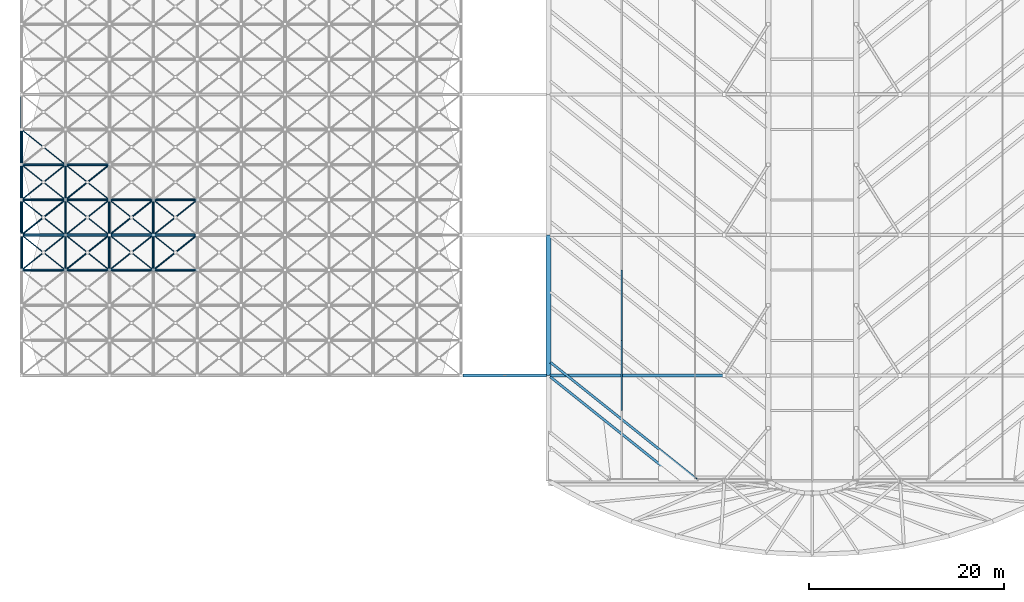
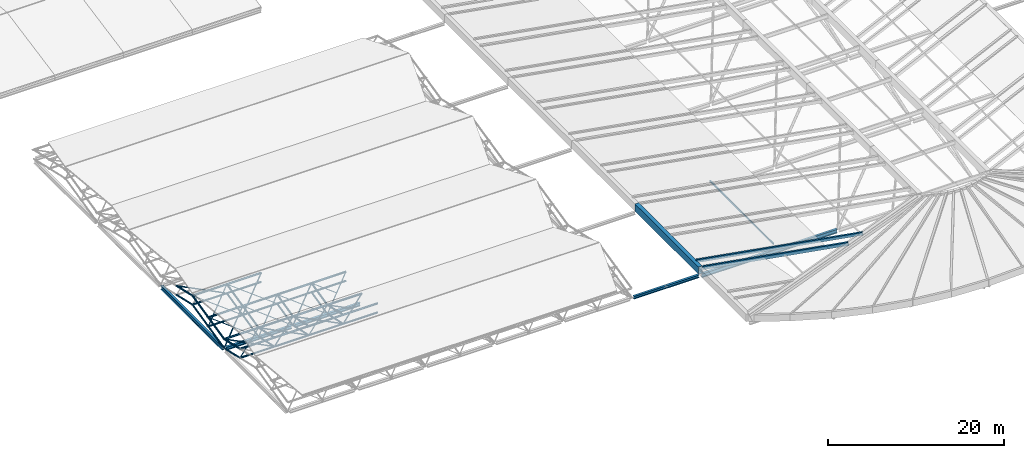
# One storey, part 13 of 110: 78 members, 8 beams.
"""IFC4 building model written with IfcOpenShell, lengths in metres."""

from ifc_helpers import new_model, si_unit, direction, frame, origin, origin_2d, place, context, subcontext, project, spatial, hollow_rectangle, hollow_circle, i_section, extrude, material, material_profile, profile_set, type_object, element, save


model = new_model("IFC4")

# Units and contexts
model_context = context("Model", 3, precision=1e-05, world=origin(), true_north=direction((0.0, 1.0)))
body_context = subcontext(model_context, "Body", "Model", "MODEL_VIEW")
ifc_project = project(units=[si_unit("LENGTHUNIT", "METRE"), si_unit("AREAUNIT", "SQUARE_METRE"), si_unit("VOLUMEUNIT", "CUBIC_METRE"), si_unit("PLANEANGLEUNIT", "RADIAN"), si_unit("MASSUNIT", "GRAM", prefix="KILO")], contexts=[model_context])

# Site, building, storey
site_placement = place(None, origin())
site = spatial("IfcSite", under=ifc_project, at=site_placement, CompositionType="ELEMENT")
building_placement = place(site_placement, origin())
building = spatial("IfcBuilding", under=site, at=building_placement, Name="Tamarisk Ironworks Central Station", CompositionType="ELEMENT")
storey_placement = place(building_placement, frame((0.0, 0.0, 17.39990234375)))
storey = spatial("IfcBuildingStorey", under=building, at=storey_placement, Name="L03", CompositionType="ELEMENT", Elevation=17.39990234375)

# Beams
ifc_material_1 = material(Name="Painted structural steel S355J2", Category="steel")
ifc_material_profile_1 = material_profile(ifc_material_1, hollow_rectangle(XDim=0.5, YDim=1.0, WallThickness=0.02197265625, at=origin_2d()), Name="BOX 500x1000x22")
ifc_profile_set_1 = profile_set([ifc_material_profile_1], Name="Painted structural steel S355J2")
beam_type_1 = type_object("IfcBeamType", Name="BM-EG01", PredefinedType="USERDEFINED", material=ifc_profile_set_1)
beam_1_placement = place(storey_placement, frame((54.0, 21.60009765625, -1.099853515625), z_axis=(0.0, 1.0, 0.0), x_axis=(-1.0, 0.0, 0.0)))
element("IfcBeam", 1, at=beam_1_placement, inside=storey, type_object=beam_type_1, Name="Concourse straight white eave girder W-002", ObjectType="TRANSFER GIRDER", PredefinedType="USERDEFINED", context=body_context, shape_type="SweptSolid", body=[
    extrude(hollow_rectangle(XDim=0.5, YDim=1.0, WallThickness=0.02197265625, at=origin_2d()), origin(), (0.0, 0.0, 1.0), 14.39990234375),
])
ifc_material_profile_2 = material_profile(ifc_material_1, hollow_rectangle(XDim=0.25, YDim=0.449951171875, WallThickness=0.01611328125, at=origin_2d()), Name="RHS 450x250x16")
ifc_profile_set_2 = profile_set([ifc_material_profile_2], Name="Painted structural steel S355J2")
beam_type_2 = type_object("IfcBeamType", Name="BM-FR02", PredefinedType="USERDEFINED", material=ifc_profile_set_2)
beam_2_placement = place(storey_placement, frame((67.25, 11.0, 4.377197265625), z_axis=(-0.746815543009, 0.597452434407, -0.29209096758), x_axis=(-0.624695047554, -0.780868809443, 0.0)))
element("IfcBeam", 2, at=beam_2_placement, inside=storey, type_object=beam_type_2, Name="Concourse paired 45-degree white fishbone roof rib 0117", ObjectType="FISHBONE ROOF RIB", PredefinedType="USERDEFINED", context=body_context, shape_type="SweptSolid", body=[
    extrude(hollow_rectangle(XDim=0.25, YDim=0.449951171875, WallThickness=0.01611328125, at=origin_2d()), origin(), (0.0, 0.0, 1.0), 17.440673828125),
])
ifc_material_profile_3 = material_profile(ifc_material_1, hollow_rectangle(XDim=0.25, YDim=0.39990234375, WallThickness=0.01611328125, at=origin_2d()), Name="RHS 400x250x16")
ifc_profile_set_3 = profile_set([ifc_material_profile_3], Name="Painted structural steel S355J2")
beam_type_3 = type_object("IfcBeamType", Name="BM-FR03", PredefinedType="USERDEFINED", material=ifc_profile_set_3)
beam_3_placement = place(storey_placement, frame((69.125, 11.0, 5.13427734375), z_axis=(-0.746817585881, 0.597454068705, -0.292082401399), x_axis=(-0.624695047554, -0.780868809443, 0.0)))
element("IfcBeam", 3, at=beam_3_placement, inside=storey, type_object=beam_type_3, Name="Concourse paired 45-degree white fishbone roof rib 0119", ObjectType="FISHBONE ROOF RIB", PredefinedType="USERDEFINED", context=body_context, shape_type="SweptSolid", body=[
    extrude(hollow_rectangle(XDim=0.25, YDim=0.39990234375, WallThickness=0.01611328125, at=origin_2d()), origin(), (0.0, 0.0, 1.0), 19.951171875),
])
ifc_material_2 = material(Name="Structural steel S355J2", Category="steel")
ifc_material_profile_4 = material_profile(ifc_material_2, i_section(OverallWidth=0.300048828125, OverallDepth=0.5400390625, WebThickness=0.012451171875, FlangeThickness=0.02392578125, at=origin_2d()), Name="HEA 550")
ifc_profile_set_4 = profile_set([ifc_material_profile_4], Name="Structural steel S355J2")
beam_type_4 = type_object("IfcBeamType", Name="BM-G04", PredefinedType="BEAM", material=ifc_profile_set_4)
beam_4_placement = place(storey_placement, frame((0.0, 36.238037109375, -1.869873046875), z_axis=(0.0, 1.0, 0.0), x_axis=(-1.0, 0.0, 0.0)))
element("IfcBeam", 4, at=beam_4_placement, inside=storey, type_object=beam_type_4, Name="L03 primary girder Y-0583", PredefinedType="BEAM", context=body_context, shape_type="SweptSolid", body=[
    extrude(i_section(OverallWidth=0.300048828125, OverallDepth=0.5400390625, WebThickness=0.012451171875, FlangeThickness=0.02392578125, at=origin_2d()), origin(), (0.0, 0.0, 1.0), 13.924072265625),
])
beam_5_placement = place(storey_placement, frame((54.139892578125, 21.60009765625, -1.869873046875), z_axis=(1.0, 0.0, 0.0), x_axis=(0.0, 1.0, 0.0)))
element("IfcBeam", 5, at=beam_5_placement, inside=storey, type_object=beam_type_4, Name="Concourse roof portal tie girder 020", PredefinedType="BEAM", context=body_context, shape_type="SweptSolid", body=[
    extrude(i_section(OverallWidth=0.300048828125, OverallDepth=0.5400390625, WebThickness=0.012451171875, FlangeThickness=0.02392578125, at=origin_2d()), origin(), (0.0, 0.0, 1.0), 17.72021484375),
])
ifc_material_profile_5 = material_profile(ifc_material_2, i_section(OverallWidth=0.300048828125, OverallDepth=0.43994140625, WebThickness=0.011474609375, FlangeThickness=0.02099609375, at=origin_2d()), Name="HEA 450")
ifc_profile_set_5 = profile_set([ifc_material_profile_5], Name="Structural steel S355J2")
beam_type_5 = type_object("IfcBeamType", Name="BM-G06", PredefinedType="BEAM", material=ifc_profile_set_5)
beam_6_placement = place(storey_placement, frame((0.238037109375, 36.0, -1.81982421875), z_axis=(1.0, 0.0, 0.0), x_axis=(0.0, 1.0, 0.0)))
element("IfcBeam", 6, at=beam_6_placement, inside=storey, type_object=beam_type_5, Name="L03 primary girder X-0547", PredefinedType="BEAM", context=body_context, shape_type="SweptSolid", body=[
    extrude(i_section(OverallWidth=0.300048828125, OverallDepth=0.43994140625, WebThickness=0.011474609375, FlangeThickness=0.02099609375, at=origin_2d()), origin(), (0.0, 0.0, 1.0), 8.57080078125),
])
beam_7_placement = place(storey_placement, frame((9.191162109375, 36.0, -1.81982421875), z_axis=(1.0, 0.0, 0.0), x_axis=(0.0, 1.0, 0.0)))
element("IfcBeam", 7, at=beam_7_placement, inside=storey, type_object=beam_type_5, Name="L03 primary girder X-0548", PredefinedType="BEAM", context=body_context, shape_type="SweptSolid", body=[
    extrude(i_section(OverallWidth=0.300048828125, OverallDepth=0.43994140625, WebThickness=0.011474609375, FlangeThickness=0.02099609375, at=origin_2d()), origin(), (0.0, 0.0, 1.0), 8.56689453125),
])
ifc_material_profile_6 = material_profile(ifc_material_2, i_section(OverallWidth=0.300048828125, OverallDepth=0.389892578125, WebThickness=0.010986328125, FlangeThickness=0.01904296875, at=origin_2d()), Name="HEA 400")
ifc_profile_set_6 = profile_set([ifc_material_profile_6], Name="Structural steel S355J2")
beam_type_6 = type_object("IfcBeamType", Name="BM-G07", PredefinedType="BEAM", material=ifc_profile_set_6)
beam_8_placement = place(storey_placement, frame((45.22998046875, 21.60009765625, -1.7998046875), z_axis=(1.0, 0.0, 0.0), x_axis=(0.0, 1.0, 0.0)))
element("IfcBeam", 8, at=beam_8_placement, inside=storey, type_object=beam_type_6, Name="Train shed to concourse eave tie girder 01", PredefinedType="BEAM", context=body_context, shape_type="SweptSolid", body=[
    extrude(i_section(OverallWidth=0.300048828125, OverallDepth=0.389892578125, WebThickness=0.010986328125, FlangeThickness=0.01904296875, at=origin_2d()), origin(), (0.0, 0.0, 1.0), 8.5400390625),
])

# Members
ifc_material_profile_7 = material_profile(ifc_material_1, hollow_rectangle(XDim=0.1201171875, YDim=0.219970703125, WallThickness=0.008056640625, at=origin_2d()), Name="RHS 220x120x8")
ifc_profile_set_7 = profile_set([ifc_material_profile_7], Name="Painted structural steel S355J2")
member_type_1 = type_object("IfcMemberType", Name="MB-PR01", PredefinedType="PURLIN", material=ifc_profile_set_7)
for number, where, z_axis, x_axis, name in (
    (9, (61.5, 18.0, 2.0693359375), (0.0, 1.0, 0.0), (-1.0, 0.0, 0.0), "Concourse roof glazing purlin 0030"),
    (10, (61.5, 25.199951171875, 2.0693359375), (0.0, 1.0, 0.0), (-1.0, 0.0, 0.0), "Concourse roof glazing purlin 0031"),
):
    element("IfcMember", number, at=place(storey_placement, frame(where, z_axis=z_axis, x_axis=x_axis)), inside=storey, type_object=member_type_1, Name=name, PredefinedType="PURLIN", context=body_context, shape_type="SweptSolid", body=[
        extrude(hollow_rectangle(XDim=0.1201171875, YDim=0.219970703125, WallThickness=0.008056640625, at=origin_2d()), origin(), (0.0, 0.0, 1.0), 7.199951171875),
    ])
ifc_material_3 = material(Name="Structural steel S355J2H", Category="steel")
ifc_material_profile_8 = material_profile(ifc_material_3, hollow_circle(Radius=0.136474609375, WallThickness=0.012451171875, at=origin_2d()), Name="CHS 273x12.5")
ifc_profile_set_8 = profile_set([ifc_material_profile_8], Name="Structural steel S355J2H")
member_type_2 = type_object("IfcMemberType", Name="MB-SFC01", PredefinedType="CHORD", material=ifc_profile_set_8)
for number, where, z_axis, x_axis, name in (
    (11, (0.0, 32.39990234375, 0.35498046875), (1.0, 0.0, 0.0), (0.0, 1.0, 0.0), "Train shed space-frame top chord 0105"),
    (12, (4.5, 32.39990234375, 0.35498046875), (1.0, 0.0, 0.0), (0.0, 1.0, 0.0), "Train shed space-frame top chord 0106"),
    (13, (9.0, 32.39990234375, 0.35498046875), (1.0, 0.0, 0.0), (0.0, 1.0, 0.0), "Train shed space-frame top chord 0107"),
    (14, (13.5, 32.39990234375, 0.35498046875), (1.0, 0.0, 0.0), (0.0, 1.0, 0.0), "Train shed space-frame top chord 0108"),
    (15, (0.0, 36.0, -0.469970703125), (1.0, 0.0, 0.0), (0.0, 1.0, 0.0), "Train shed space-frame top chord 0115"),
    (16, (4.5, 36.0, -0.469970703125), (1.0, 0.0, 0.0), (0.0, 1.0, 0.0), "Train shed space-frame top chord 0116"),
    (17, (9.0, 36.0, -0.469970703125), (1.0, 0.0, 0.0), (0.0, 1.0, 0.0), "Train shed space-frame top chord 0117"),
    (18, (13.5, 36.0, -0.469970703125), (1.0, 0.0, 0.0), (0.0, 1.0, 0.0), "Train shed space-frame top chord 0118"),
    (19, (0.0, 39.60009765625, 0.35498046875), (1.0, 0.0, 0.0), (0.0, 1.0, 0.0), "Train shed space-frame top chord 0323"),
    (20, (4.5, 39.60009765625, 0.35498046875), (1.0, 0.0, 0.0), (0.0, 1.0, 0.0), "Train shed space-frame top chord 0324"),
    (21, (9.0, 39.60009765625, 0.35498046875), (1.0, 0.0, 0.0), (0.0, 1.0, 0.0), "Train shed space-frame top chord 0325"),
    (22, (13.5, 39.60009765625, 0.35498046875), (1.0, 0.0, 0.0), (0.0, 1.0, 0.0), "Train shed space-frame top chord 0326"),
    (23, (0.0, 43.199951171875, 1.18017578125), (1.0, 0.0, 0.0), (0.0, 1.0, 0.0), "Train shed space-frame top chord 0333"),
    (24, (4.5, 43.199951171875, 1.18017578125), (1.0, 0.0, 0.0), (0.0, 1.0, 0.0), "Train shed space-frame top chord 0334"),
):
    element("IfcMember", number, at=place(storey_placement, frame(where, z_axis=z_axis, x_axis=x_axis)), inside=storey, type_object=member_type_2, Name=name, PredefinedType="CHORD", context=body_context, shape_type="SweptSolid", body=[
        extrude(hollow_circle(Radius=0.136474609375, WallThickness=0.012451171875, at=origin_2d()), origin(), (0.0, 0.0, 1.0), 4.5),
    ])
ifc_material_profile_9 = material_profile(ifc_material_3, hollow_circle(Radius=0.122314453125, WallThickness=0.012451171875, at=origin_2d()), Name="CHS 244.5x12.5")
ifc_profile_set_9 = profile_set([ifc_material_profile_9], Name="Structural steel S355J2H")
member_type_3 = type_object("IfcMemberType", Name="MB-SFC02", PredefinedType="CHORD", material=ifc_profile_set_9)
for number, where, z_axis, x_axis, name in (
    (25, (0.0, 32.39990234375, -0.89501953125), (1.0, 0.0, 0.0), (0.0, 1.0, 0.0), "Train shed space-frame bottom chord 0021"),
    (26, (4.5, 32.39990234375, -0.89501953125), (1.0, 0.0, 0.0), (0.0, 1.0, 0.0), "Train shed space-frame bottom chord 0022"),
    (27, (9.0, 32.39990234375, -0.89501953125), (1.0, 0.0, 0.0), (0.0, 1.0, 0.0), "Train shed space-frame bottom chord 0023"),
    (28, (13.5, 32.39990234375, -0.89501953125), (1.0, 0.0, 0.0), (0.0, 1.0, 0.0), "Train shed space-frame bottom chord 0024"),
):
    element("IfcMember", number, at=place(storey_placement, frame(where, z_axis=z_axis, x_axis=x_axis)), inside=storey, type_object=member_type_3, Name=name, PredefinedType="CHORD", context=body_context, shape_type="SweptSolid", body=[
        extrude(hollow_circle(Radius=0.122314453125, WallThickness=0.012451171875, at=origin_2d()), origin(), (0.0, 0.0, 1.0), 4.5),
    ])
for number, where, z_axis, x_axis, name in (
    (29, (0.0, 32.39990234375, 0.35498046875), (0.0, 0.974736516158, -0.223357838607), (-1.0, 0.0, 0.0), "Train shed space-frame top transverse chord 0128"),
    (30, (4.5, 32.39990234375, 0.35498046875), (0.0, 0.974736516158, -0.223357838607), (-1.0, 0.0, 0.0), "Train shed space-frame top transverse chord 0132"),
    (31, (9.0, 32.39990234375, 0.35498046875), (0.0, 0.974736516158, -0.223357838607), (-1.0, 0.0, 0.0), "Train shed space-frame top transverse chord 0136"),
    (32, (13.5, 32.39990234375, 0.35498046875), (0.0, 0.974736516158, -0.223357838607), (-1.0, 0.0, 0.0), "Train shed space-frame top transverse chord 0140"),
):
    element("IfcMember", number, at=place(storey_placement, frame(where, z_axis=z_axis, x_axis=x_axis)), inside=storey, type_object=member_type_3, Name=name, PredefinedType="CHORD", context=body_context, shape_type="SweptSolid", body=[
        extrude(hollow_circle(Radius=0.122314453125, WallThickness=0.012451171875, at=origin_2d()), origin(), (0.0, 0.0, 1.0), 3.693359375),
    ])
for number, where, z_axis, x_axis, name in (
    (33, (0.0, 39.60009765625, -0.89501953125), (1.0, 0.0, 0.0), (0.0, 1.0, 0.0), "Train shed space-frame bottom chord 0249"),
    (34, (4.5, 39.60009765625, -0.89501953125), (1.0, 0.0, 0.0), (0.0, 1.0, 0.0), "Train shed space-frame bottom chord 0250"),
    (35, (9.0, 39.60009765625, -0.89501953125), (1.0, 0.0, 0.0), (0.0, 1.0, 0.0), "Train shed space-frame bottom chord 0251"),
    (36, (13.5, 39.60009765625, -0.89501953125), (1.0, 0.0, 0.0), (0.0, 1.0, 0.0), "Train shed space-frame bottom chord 0252"),
    (37, (0.0, 43.199951171875, -0.06982421875), (1.0, 0.0, 0.0), (0.0, 1.0, 0.0), "Train shed space-frame bottom chord 0259"),
    (38, (4.5, 43.199951171875, -0.06982421875), (1.0, 0.0, 0.0), (0.0, 1.0, 0.0), "Train shed space-frame bottom chord 0260"),
):
    element("IfcMember", number, at=place(storey_placement, frame(where, z_axis=z_axis, x_axis=x_axis)), inside=storey, type_object=member_type_3, Name=name, PredefinedType="CHORD", context=body_context, shape_type="SweptSolid", body=[
        extrude(hollow_circle(Radius=0.122314453125, WallThickness=0.012451171875, at=origin_2d()), origin(), (0.0, 0.0, 1.0), 4.5),
    ])
member_1_placement = place(storey_placement, frame((0.0, 36.0, -0.469970703125), z_axis=(0.0, 0.974736516158, 0.223357838607), x_axis=(-1.0, 0.0, 0.0)))
element("IfcMember", 39, at=member_1_placement, inside=storey, type_object=member_type_3, Name="Train shed space-frame top transverse chord 0363", PredefinedType="CHORD", context=body_context, shape_type="SweptSolid", body=[
    extrude(hollow_circle(Radius=0.122314453125, WallThickness=0.012451171875, at=origin_2d()), origin(), (0.0, 0.0, 1.0), 3.693359375),
])
member_2_placement = place(storey_placement, frame((0.0, 39.60009765625, 0.35498046875), z_axis=(0.0, 0.974718823144, 0.223435037113), x_axis=(-1.0, 0.0, 0.0)))
element("IfcMember", 40, at=member_2_placement, inside=storey, type_object=member_type_3, Name="Train shed space-frame top transverse chord 0364", PredefinedType="CHORD", context=body_context, shape_type="SweptSolid", body=[
    extrude(hollow_circle(Radius=0.122314453125, WallThickness=0.012451171875, at=origin_2d()), origin(), (0.0, 0.0, 1.0), 3.693115234375),
])
for number, where, z_axis, x_axis, name in (
    (41, (0.0, 43.199951171875, 1.18017578125), (0.0, 0.974722123001, -0.223420641241), (-1.0, 0.0, 0.0), "Train shed space-frame top transverse chord 0365"),
    (42, (4.5, 36.0, -0.469970703125), (0.0, 0.974736516158, 0.223357838607), (-1.0, 0.0, 0.0), "Train shed space-frame top transverse chord 0367"),
):
    element("IfcMember", number, at=place(storey_placement, frame(where, z_axis=z_axis, x_axis=x_axis)), inside=storey, type_object=member_type_3, Name=name, PredefinedType="CHORD", context=body_context, shape_type="SweptSolid", body=[
        extrude(hollow_circle(Radius=0.122314453125, WallThickness=0.012451171875, at=origin_2d()), origin(), (0.0, 0.0, 1.0), 3.693359375),
    ])
member_3_placement = place(storey_placement, frame((4.5, 39.60009765625, 0.35498046875), z_axis=(0.0, 0.974718823144, 0.223435037113), x_axis=(-1.0, 0.0, 0.0)))
element("IfcMember", 43, at=member_3_placement, inside=storey, type_object=member_type_3, Name="Train shed space-frame top transverse chord 0368", PredefinedType="CHORD", context=body_context, shape_type="SweptSolid", body=[
    extrude(hollow_circle(Radius=0.122314453125, WallThickness=0.012451171875, at=origin_2d()), origin(), (0.0, 0.0, 1.0), 3.693115234375),
])
for number, where, z_axis, x_axis, name in (
    (44, (9.0, 36.0, -0.469970703125), (0.0, 0.974736516158, 0.223357838607), (-1.0, 0.0, 0.0), "Train shed space-frame top transverse chord 0371"),
    (45, (13.5, 36.0, -0.469970703125), (0.0, 0.974736516158, 0.223357838607), (-1.0, 0.0, 0.0), "Train shed space-frame top transverse chord 0375"),
):
    element("IfcMember", number, at=place(storey_placement, frame(where, z_axis=z_axis, x_axis=x_axis)), inside=storey, type_object=member_type_3, Name=name, PredefinedType="CHORD", context=body_context, shape_type="SweptSolid", body=[
        extrude(hollow_circle(Radius=0.122314453125, WallThickness=0.012451171875, at=origin_2d()), origin(), (0.0, 0.0, 1.0), 3.693359375),
    ])
ifc_material_profile_10 = material_profile(ifc_material_3, hollow_circle(Radius=0.109619140625, WallThickness=0.010009765625, at=origin_2d()), Name="CHS 219.1x10")
ifc_profile_set_10 = profile_set([ifc_material_profile_10], Name="Structural steel S355J2H")
member_type_4 = type_object("IfcMemberType", Name="MB-SFC03", PredefinedType="CHORD", material=ifc_profile_set_10)
for number, where, z_axis, x_axis, name in (
    (46, (0.0, 32.39990234375, -0.89501953125), (0.0, 0.974736516158, -0.223357838607), (-1.0, 0.0, 0.0), "Train shed space-frame transverse chord 0034"),
    (47, (4.5, 32.39990234375, -0.89501953125), (0.0, 0.974736516158, -0.223357838607), (-1.0, 0.0, 0.0), "Train shed space-frame transverse chord 0038"),
    (48, (9.0, 32.39990234375, -0.89501953125), (0.0, 0.974736516158, -0.223357838607), (-1.0, 0.0, 0.0), "Train shed space-frame transverse chord 0042"),
    (49, (13.5, 32.39990234375, -0.89501953125), (0.0, 0.974736516158, -0.223357838607), (-1.0, 0.0, 0.0), "Train shed space-frame transverse chord 0046"),
    (50, (0.0, 36.0, -1.719970703125), (0.0, 0.974736516158, 0.223357838607), (-1.0, 0.0, 0.0), "Train shed space-frame transverse chord 0279"),
):
    element("IfcMember", number, at=place(storey_placement, frame(where, z_axis=z_axis, x_axis=x_axis)), inside=storey, type_object=member_type_4, Name=name, PredefinedType="CHORD", context=body_context, shape_type="SweptSolid", body=[
        extrude(hollow_circle(Radius=0.109619140625, WallThickness=0.010009765625, at=origin_2d()), origin(), (0.0, 0.0, 1.0), 3.693359375),
    ])
member_4_placement = place(storey_placement, frame((0.0, 39.60009765625, -0.89501953125), z_axis=(0.0, 0.974718823144, 0.223435037113), x_axis=(-1.0, 0.0, 0.0)))
element("IfcMember", 51, at=member_4_placement, inside=storey, type_object=member_type_4, Name="Train shed space-frame transverse chord 0280", PredefinedType="CHORD", context=body_context, shape_type="SweptSolid", body=[
    extrude(hollow_circle(Radius=0.109619140625, WallThickness=0.010009765625, at=origin_2d()), origin(), (0.0, 0.0, 1.0), 3.693115234375),
])
for number, where, z_axis, x_axis, name in (
    (52, (0.0, 43.199951171875, -0.06982421875), (0.0, 0.974722123001, -0.223420641241), (-1.0, 0.0, 0.0), "Train shed space-frame transverse chord 0281"),
    (53, (4.5, 36.0, -1.719970703125), (0.0, 0.974736516158, 0.223357838607), (-1.0, 0.0, 0.0), "Train shed space-frame transverse chord 0283"),
):
    element("IfcMember", number, at=place(storey_placement, frame(where, z_axis=z_axis, x_axis=x_axis)), inside=storey, type_object=member_type_4, Name=name, PredefinedType="CHORD", context=body_context, shape_type="SweptSolid", body=[
        extrude(hollow_circle(Radius=0.109619140625, WallThickness=0.010009765625, at=origin_2d()), origin(), (0.0, 0.0, 1.0), 3.693359375),
    ])
member_5_placement = place(storey_placement, frame((4.5, 39.60009765625, -0.89501953125), z_axis=(0.0, 0.974718823144, 0.223435037113), x_axis=(-1.0, 0.0, 0.0)))
element("IfcMember", 54, at=member_5_placement, inside=storey, type_object=member_type_4, Name="Train shed space-frame transverse chord 0284", PredefinedType="CHORD", context=body_context, shape_type="SweptSolid", body=[
    extrude(hollow_circle(Radius=0.109619140625, WallThickness=0.010009765625, at=origin_2d()), origin(), (0.0, 0.0, 1.0), 3.693115234375),
])
for number, where, z_axis, x_axis, name in (
    (55, (9.0, 36.0, -1.719970703125), (0.0, 0.974736516158, 0.223357838607), (-1.0, 0.0, 0.0), "Train shed space-frame transverse chord 0287"),
    (56, (13.5, 36.0, -1.719970703125), (0.0, 0.974736516158, 0.223357838607), (-1.0, 0.0, 0.0), "Train shed space-frame transverse chord 0291"),
):
    element("IfcMember", number, at=place(storey_placement, frame(where, z_axis=z_axis, x_axis=x_axis)), inside=storey, type_object=member_type_4, Name=name, PredefinedType="CHORD", context=body_context, shape_type="SweptSolid", body=[
        extrude(hollow_circle(Radius=0.109619140625, WallThickness=0.010009765625, at=origin_2d()), origin(), (0.0, 0.0, 1.0), 3.693359375),
    ])
ifc_material_profile_11 = material_profile(ifc_material_3, hollow_circle(Radius=0.084228515625, WallThickness=0.010009765625, at=origin_2d()), Name="CHS 168.3x10")
ifc_profile_set_11 = profile_set([ifc_material_profile_11], Name="Structural steel S355J2H")
member_type_5 = type_object("IfcMemberType", Name="MB-SFD01", PredefinedType="BRACE", material=ifc_profile_set_11)
for number, where, z_axis, x_axis, name in (
    (57, (4.5, 32.39990234375, -0.89501953125), (0.778745225774, 0.623013080472, 0.073556610138), (-0.624705380279, 0.780860543151, 0.0), "Train shed space-frame diagonal 0183"),
    (58, (13.5, 32.39990234375, -0.89501953125), (0.778745225774, 0.623013080472, 0.073556610138), (-0.624705380279, 0.780860543151, 0.0), "Train shed space-frame diagonal 0199"),
):
    element("IfcMember", number, at=place(storey_placement, frame(where, z_axis=z_axis, x_axis=x_axis)), inside=storey, type_object=member_type_5, Name=name, PredefinedType="BRACE", context=body_context, shape_type="SweptSolid", body=[
        extrude(hollow_circle(Radius=0.084228515625, WallThickness=0.010009765625, at=origin_2d()), origin(), (0.0, 0.0, 1.0), 5.778564453125),
    ])
for number, where, z_axis, x_axis, name in (
    (59, (0.0, 36.0, -1.719970703125), (0.734688976783, 0.587767125198, 0.33876527852), (-0.624705380279, 0.780860543151, 0.0), "Train shed space-frame diagonal 0407"),
    (60, (4.5, 39.60009765625, -0.89501953125), (0.734696267565, 0.587733098158, 0.338808500125), (-0.624679547852, 0.780881208953, 0.0), "Train shed space-frame diagonal 0417"),
    (61, (9.0, 36.0, -1.719970703125), (0.734688976783, 0.587767125198, 0.33876527852), (-0.624705380279, 0.780860543151, 0.0), "Train shed space-frame diagonal 0423"),
):
    element("IfcMember", number, at=place(storey_placement, frame(where, z_axis=z_axis, x_axis=x_axis)), inside=storey, type_object=member_type_5, Name=name, PredefinedType="BRACE", context=body_context, shape_type="SweptSolid", body=[
        extrude(hollow_circle(Radius=0.084228515625, WallThickness=0.010009765625, at=origin_2d()), origin(), (0.0, 0.0, 1.0), 6.125),
    ])
ifc_material_profile_12 = material_profile(ifc_material_3, hollow_circle(Radius=0.06982421875, WallThickness=0.008056640625, at=origin_2d()), Name="CHS 139.7x8")
ifc_profile_set_12 = profile_set([ifc_material_profile_12], Name="Structural steel S355J2H")
member_type_6 = type_object("IfcMemberType", Name="MB-SFD02", PredefinedType="BRACE", material=ifc_profile_set_12)
for number, where, z_axis, x_axis, name in (
    (62, (0.0, 32.39990234375, -0.89501953125), (0.778745225774, 0.623013080472, 0.073556610138), (-0.624705380279, 0.780860543151, 0.0), "Train shed space-frame diagonal 0175"),
    (63, (9.0, 32.39990234375, -0.89501953125), (0.778745225774, 0.623013080472, 0.073556610138), (-0.624705380279, 0.780860543151, 0.0), "Train shed space-frame diagonal 0191"),
):
    element("IfcMember", number, at=place(storey_placement, frame(where, z_axis=z_axis, x_axis=x_axis)), inside=storey, type_object=member_type_6, Name=name, PredefinedType="BRACE", context=body_context, shape_type="SweptSolid", body=[
        extrude(hollow_circle(Radius=0.06982421875, WallThickness=0.008056640625, at=origin_2d()), origin(), (0.0, 0.0, 1.0), 5.778564453125),
    ])
for number, where, z_axis, x_axis, name in (
    (64, (0.0, 39.60009765625, -0.89501953125), (0.734696267565, 0.587733098158, 0.338808500125), (-0.624679547852, 0.780881208953, 0.0), "Train shed space-frame diagonal 0409"),
    (65, (4.5, 36.0, -1.719970703125), (0.734688976783, 0.587767125198, 0.33876527852), (-0.624705380279, 0.780860543151, 0.0), "Train shed space-frame diagonal 0415"),
    (66, (13.5, 36.0, -1.719970703125), (0.734688976783, 0.587767125198, 0.33876527852), (-0.624705380279, 0.780860543151, 0.0), "Train shed space-frame diagonal 0431"),
):
    element("IfcMember", number, at=place(storey_placement, frame(where, z_axis=z_axis, x_axis=x_axis)), inside=storey, type_object=member_type_6, Name=name, PredefinedType="BRACE", context=body_context, shape_type="SweptSolid", body=[
        extrude(hollow_circle(Radius=0.06982421875, WallThickness=0.008056640625, at=origin_2d()), origin(), (0.0, 0.0, 1.0), 6.125),
    ])
ifc_material_profile_13 = material_profile(ifc_material_3, hollow_circle(Radius=0.05712890625, WallThickness=0.00634765625, at=origin_2d()), Name="CHS 114.3x6.3")
ifc_profile_set_13 = profile_set([ifc_material_profile_13], Name="Structural steel S355J2H")
member_type_7 = type_object("IfcMemberType", Name="MB-SFD03", PredefinedType="BRACE", material=ifc_profile_set_13)
member_6_placement = place(storey_placement, frame((4.5, 32.39990234375, -0.89501953125), z_axis=(-0.778744920641, 0.623013163477, 0.07355913751), x_axis=(-0.624705580279, -0.780860383147, 0.0)))
element("IfcMember", 67, at=member_6_placement, inside=storey, type_object=member_type_7, Name="Train shed space-frame split counter-diagonal lower 0176", PredefinedType="BRACE", context=body_context, shape_type="SweptSolid", body=[
    extrude(hollow_circle(Radius=0.05712890625, WallThickness=0.00634765625, at=origin_2d()), origin(), (0.0, 0.0, 1.0), 2.83447265625),
])
member_7_placement = place(storey_placement, frame((2.207275390625, 34.234375, -0.678466796875), z_axis=(-0.778786711003, 0.622960457248, 0.073563084968), x_axis=(-0.624652913247, -0.780902515025, 0.0)))
element("IfcMember", 68, at=member_7_placement, inside=storey, type_object=member_type_7, Name="Train shed space-frame split counter-diagonal upper 0176", PredefinedType="BRACE", context=body_context, shape_type="SweptSolid", body=[
    extrude(hollow_circle(Radius=0.05712890625, WallThickness=0.00634765625, at=origin_2d()), origin(), (0.0, 0.0, 1.0), 2.834228515625),
])
member_8_placement = place(storey_placement, frame((9.0, 32.39990234375, -0.89501953125), z_axis=(-0.778744920641, 0.623013163477, 0.07355913751), x_axis=(-0.624705580279, -0.780860383147, 0.0)))
element("IfcMember", 69, at=member_8_placement, inside=storey, type_object=member_type_7, Name="Train shed space-frame split counter-diagonal lower 0184", PredefinedType="BRACE", context=body_context, shape_type="SweptSolid", body=[
    extrude(hollow_circle(Radius=0.05712890625, WallThickness=0.00634765625, at=origin_2d()), origin(), (0.0, 0.0, 1.0), 2.83447265625),
])
member_9_placement = place(storey_placement, frame((6.707275390625, 34.234375, -0.678466796875), z_axis=(-0.778786711003, 0.622960457248, 0.073563084968), x_axis=(-0.624652913247, -0.780902515025, 0.0)))
element("IfcMember", 70, at=member_9_placement, inside=storey, type_object=member_type_7, Name="Train shed space-frame split counter-diagonal upper 0184", PredefinedType="BRACE", context=body_context, shape_type="SweptSolid", body=[
    extrude(hollow_circle(Radius=0.05712890625, WallThickness=0.00634765625, at=origin_2d()), origin(), (0.0, 0.0, 1.0), 2.834228515625),
])
member_10_placement = place(storey_placement, frame((13.5, 32.39990234375, -0.89501953125), z_axis=(-0.778744920641, 0.623013163477, 0.07355913751), x_axis=(-0.624705580279, -0.780860383147, 0.0)))
element("IfcMember", 71, at=member_10_placement, inside=storey, type_object=member_type_7, Name="Train shed space-frame split counter-diagonal lower 0192", PredefinedType="BRACE", context=body_context, shape_type="SweptSolid", body=[
    extrude(hollow_circle(Radius=0.05712890625, WallThickness=0.00634765625, at=origin_2d()), origin(), (0.0, 0.0, 1.0), 2.83447265625),
])
for number, where, z_axis, x_axis, name in (
    (72, (11.207275390625, 34.234375, -0.678466796875), (-0.778786711003, 0.622960457248, 0.073563084968), (-0.624652913247, -0.780902515025, 0.0), "Train shed space-frame split counter-diagonal upper 0192"),
    (73, (15.707275390625, 34.234375, -0.678466796875), (-0.778786711003, 0.622960457248, 0.073563084968), (-0.624652913247, -0.780902515025, 0.0), "Train shed space-frame split counter-diagonal upper 0200"),
):
    element("IfcMember", number, at=place(storey_placement, frame(where, z_axis=z_axis, x_axis=x_axis)), inside=storey, type_object=member_type_7, Name=name, PredefinedType="BRACE", context=body_context, shape_type="SweptSolid", body=[
        extrude(hollow_circle(Radius=0.05712890625, WallThickness=0.00634765625, at=origin_2d()), origin(), (0.0, 0.0, 1.0), 2.834228515625),
    ])
for number, where, z_axis, x_axis, name in (
    (74, (4.5, 36.0, -1.719970703125), (-0.734712152648, 0.587704782363, 0.33882317149), (-0.624652959802, -0.780902477785, 0.0), "Train shed space-frame split counter-diagonal lower 0408"),
    (75, (2.209716796875, 37.832275390625, -0.663818359375), (-0.734697304949, 0.58777407857, 0.338735151205), (-0.624705568642, -0.780860392457, 0.0), "Train shed space-frame split counter-diagonal upper 0408"),
    (76, (4.5, 39.60009765625, -0.89501953125), (-0.734712152648, 0.587704782363, 0.33882317149), (-0.624652959802, -0.780902477785, 0.0), "Train shed space-frame split counter-diagonal lower 0410"),
    (77, (2.209716796875, 41.432373046875, 0.1611328125), (-0.734712152648, 0.587704782363, 0.33882317149), (-0.624652959802, -0.780902477785, 0.0), "Train shed space-frame split counter-diagonal upper 0410"),
):
    element("IfcMember", number, at=place(storey_placement, frame(where, z_axis=z_axis, x_axis=x_axis)), inside=storey, type_object=member_type_7, Name=name, PredefinedType="BRACE", context=body_context, shape_type="SweptSolid", body=[
        extrude(hollow_circle(Radius=0.05712890625, WallThickness=0.00634765625, at=origin_2d()), origin(), (0.0, 0.0, 1.0), 3.007568359375),
    ])
for number, where, z_axis, x_axis, name in (
    (78, (4.5, 43.199951171875, -0.06982421875), (-0.778744920641, 0.623013163477, 0.07355913751), (-0.624705580279, -0.780860383147, 0.0), "Train shed space-frame split counter-diagonal lower 0412"),
    (79, (2.207275390625, 45.0341796875, 0.146484375), (-0.778744920641, 0.623013163477, 0.07355913751), (-0.624705580279, -0.780860383147, 0.0), "Train shed space-frame split counter-diagonal upper 0412"),
):
    element("IfcMember", number, at=place(storey_placement, frame(where, z_axis=z_axis, x_axis=x_axis)), inside=storey, type_object=member_type_7, Name=name, PredefinedType="BRACE", context=body_context, shape_type="SweptSolid", body=[
        extrude(hollow_circle(Radius=0.05712890625, WallThickness=0.00634765625, at=origin_2d()), origin(), (0.0, 0.0, 1.0), 2.83447265625),
    ])
for number, where, z_axis, x_axis, name in (
    (80, (9.0, 36.0, -1.719970703125), (-0.734712152648, 0.587704782363, 0.33882317149), (-0.624652959802, -0.780902477785, 0.0), "Train shed space-frame split counter-diagonal lower 0416"),
    (81, (6.709716796875, 37.832275390625, -0.663818359375), (-0.734697304949, 0.58777407857, 0.338735151205), (-0.624705568642, -0.780860392457, 0.0), "Train shed space-frame split counter-diagonal upper 0416"),
    (82, (9.0, 39.60009765625, -0.89501953125), (-0.734712152648, 0.587704782363, 0.33882317149), (-0.624652959802, -0.780902477785, 0.0), "Train shed space-frame split counter-diagonal lower 0418"),
    (83, (6.709716796875, 41.432373046875, 0.1611328125), (-0.734712152648, 0.587704782363, 0.33882317149), (-0.624652959802, -0.780902477785, 0.0), "Train shed space-frame split counter-diagonal upper 0418"),
    (84, (13.5, 36.0, -1.719970703125), (-0.734712152648, 0.587704782363, 0.33882317149), (-0.624652959802, -0.780902477785, 0.0), "Train shed space-frame split counter-diagonal lower 0424"),
    (85, (11.209716796875, 37.832275390625, -0.663818359375), (-0.734697304949, 0.58777407857, 0.338735151205), (-0.624705568642, -0.780860392457, 0.0), "Train shed space-frame split counter-diagonal upper 0424"),
    (86, (15.709716796875, 37.832275390625, -0.663818359375), (-0.734697304949, 0.58777407857, 0.338735151205), (-0.624705568642, -0.780860392457, 0.0), "Train shed space-frame split counter-diagonal upper 0432"),
):
    element("IfcMember", number, at=place(storey_placement, frame(where, z_axis=z_axis, x_axis=x_axis)), inside=storey, type_object=member_type_7, Name=name, PredefinedType="BRACE", context=body_context, shape_type="SweptSolid", body=[
        extrude(hollow_circle(Radius=0.05712890625, WallThickness=0.00634765625, at=origin_2d()), origin(), (0.0, 0.0, 1.0), 3.007568359375),
    ])

save(model, "model.ifc")
